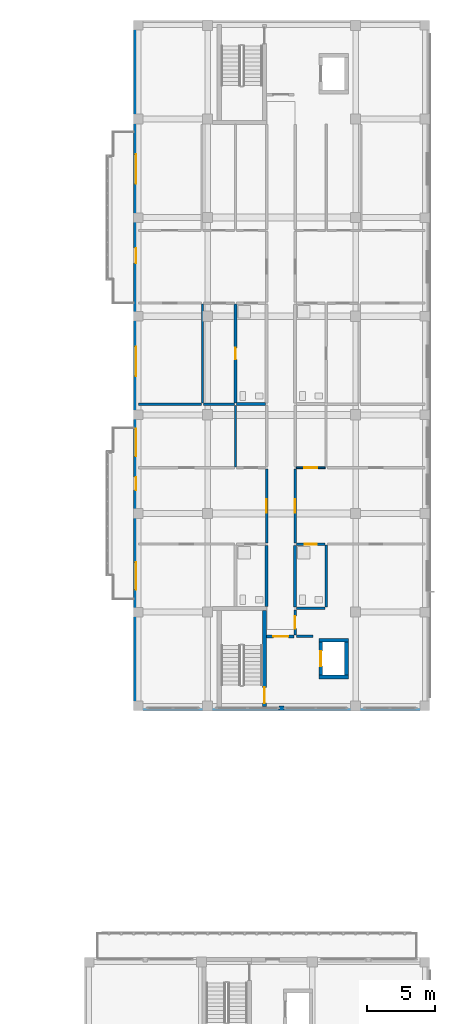
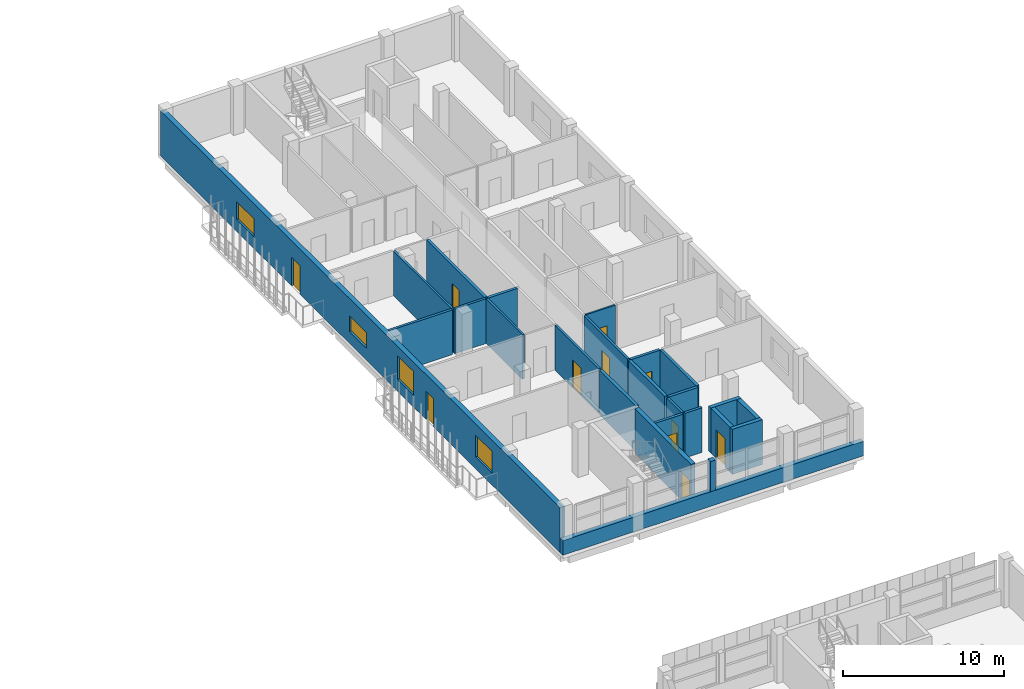
# One storey, part 50 of 73: 25 walls, 11 doors, 4 windows, 15 openings.
"""IFC4 building model written with IfcOpenShell, lengths in metres."""

import ifcopenshell
import ifcopenshell.guid

model = None  # the IFC model being written
_history = None  # IfcOwnerHistory: only IFC2X3 demands one
_inside = {}  # id of a spatial element -> (the spatial element, [elements in it])
_under = {}  # id of a project, library or spatial element -> (it, [spatial elements below it])
_declared = {}  # id of a project -> (the project, [libraries it declares])
_typed = {}  # id of a type object -> (the type object, [elements of that type])
_made_of = {}  # id of a material, layer set ... -> (it, [elements and type objects made of it])


def new_model(schema):
    """Start an empty IFC model of exactly this schema.

    Asked for "IFC4X3", IfcOpenShell would pick the latest addendum, in which some entities
    have other attributes; the version numbers below select the first issue.
    IFC2X3 requires an IfcOwnerHistory on every rooted entity: one is made here for all.
    """
    global model, _history
    if schema == "IFC4X3":
        model = ifcopenshell.file(schema_version=(4, 3, 0, 0))
    else:
        model = ifcopenshell.file(schema=schema)
    _inside.clear()
    _under.clear()
    _declared.clear()
    _typed.clear()
    _made_of.clear()
    _history = None
    if model.schema == "IFC2X3":
        org = make("IfcOrganization", Name="unknown")
        user = make(
            "IfcPersonAndOrganization",
            ThePerson=make("IfcPerson", FamilyName="unknown"),
            TheOrganization=org,
        )
        app = make(
            "IfcApplication",
            ApplicationDeveloper=org,
            Version="unknown",
            ApplicationFullName="unknown",
            ApplicationIdentifier="unknown",
        )
        _history = make(
            "IfcOwnerHistory",
            OwningUser=user,
            OwningApplication=app,
            ChangeAction="ADDED",
            CreationDate=0,
        )
    return model


def make(cls, **values):
    """One entity of the class cls with the attributes given. An attribute that is None is left unset."""
    return model.create_entity(
        cls, **{name: value for name, value in values.items() if value is not None}
    )


def rooted(cls, **values):
    """An entity with a GlobalId (a new one), such as an element, a storey or a relation."""
    return make(cls, GlobalId=ifcopenshell.guid.new(), OwnerHistory=_history, **values)


def si_unit(unit_type, name, prefix=None):
    """IfcSIUnit, for example si_unit("LENGTHUNIT", "METRE", prefix="MILLI")."""
    return make("IfcSIUnit", UnitType=unit_type, Prefix=prefix, Name=name)


def derived_unit(unit_type, elements):
    """IfcDerivedUnit: a product of units, each with its exponent."""
    return make(
        "IfcDerivedUnit",
        Elements=[
            make("IfcDerivedUnitElement", Unit=unit, Exponent=power)
            for unit, power in elements
        ],
        UnitType=unit_type,
    )


def assignment(units):
    """IfcUnitAssignment: the units of a project."""
    return None if units is None else make("IfcUnitAssignment", Units=units)


def point(xyz):
    """IfcCartesianPoint."""
    return None if xyz is None else make("IfcCartesianPoint", Coordinates=xyz)


def direction(xyz):
    """IfcDirection."""
    return None if xyz is None else make("IfcDirection", DirectionRatios=xyz)


def frame(location, z_axis=None, x_axis=None):
    """IfcAxis2Placement3D, a coordinate frame: its origin and axes. An axis left out is left unset."""
    return make(
        "IfcAxis2Placement3D",
        Location=point(location),
        Axis=direction(z_axis),
        RefDirection=direction(x_axis),
    )


def frame_2d(location, x_axis=None):
    """IfcAxis2Placement2D, a coordinate frame in the plane: its origin and x axis."""
    return make(
        "IfcAxis2Placement2D", Location=point(location), RefDirection=direction(x_axis)
    )


def origin():
    """The frame at (0, 0, 0) with its axes left unset."""
    return frame((0.0, 0.0, 0.0))


def place(relative_to, where):
    """IfcLocalPlacement: puts the frame where relative to a parent placement (None: the world)."""
    return make(
        "IfcLocalPlacement", PlacementRelTo=relative_to, RelativePlacement=where
    )


def context(
    kind, dimensions, precision=None, world=None, true_north=None, identifier=None
):
    """IfcGeometricRepresentationContext, for example the 3D "Model" context."""
    return make(
        "IfcGeometricRepresentationContext",
        ContextIdentifier=identifier,
        ContextType=kind,
        CoordinateSpaceDimension=dimensions,
        Precision=precision,
        WorldCoordinateSystem=world,
        TrueNorth=true_north,
    )


def subcontext(parent, identifier, kind, view, scale=None):
    """IfcGeometricRepresentationSubContext, for example "Body" below "Model"."""
    return make(
        "IfcGeometricRepresentationSubContext",
        ContextIdentifier=identifier,
        ContextType=kind,
        ParentContext=parent,
        TargetScale=scale,
        TargetView=view,
    )


def project(units=None, contexts=None):
    """IfcProject with its units and contexts."""
    return rooted(
        "IfcProject",
        Name="project",
        RepresentationContexts=contexts,
        UnitsInContext=assignment(units),
    )


def spatial(cls, under=None, at=None, **own):
    """A site, building, storey or space (cls), placed at a placement, below another one or the project."""
    s = rooted(cls, ObjectPlacement=at, **own)
    if under is not None:
        _under.setdefault(under.id(), (under, []))[1].append(s)
    return s


def profile(cls, at=None, kind="AREA", **sizes):
    """A parametric profile (cls). Its sizes go by their IFC names, for example OverallWidth=200.0."""
    return make(cls, ProfileType=kind, Position=at, **sizes)


def rectangle(**sizes):
    """IfcRectangleProfileDef."""
    return profile("IfcRectangleProfileDef", **sizes)


def extrude(swept, where, along, depth):
    """IfcExtrudedAreaSolid: the profile swept, set in the frame where, extruded along a direction by depth."""
    return make(
        "IfcExtrudedAreaSolid",
        SweptArea=swept,
        Position=where,
        ExtrudedDirection=direction(along),
        Depth=depth,
    )


def shape(context_of_items, identifier, shape_type, items):
    """IfcShapeRepresentation: the items that make up one representation, for example the "Body"."""
    return make(
        "IfcShapeRepresentation",
        ContextOfItems=context_of_items,
        RepresentationIdentifier=identifier,
        RepresentationType=shape_type,
        Items=items,
    )


def material(Name=None, Category=None):
    """IfcMaterial."""
    return make("IfcMaterial", Name=Name, Category=Category)


def layer(
    of_material, thickness, ventilated=None, Name=None, Category=None, Priority=None
):
    """IfcMaterialLayer: one layer of a wall or slab, of a material (None: an air gap)."""
    return make(
        "IfcMaterialLayer",
        Material=of_material,
        LayerThickness=thickness,
        IsVentilated=ventilated,
        Name=Name,
        Category=Category,
        Priority=Priority,
    )


def layer_set(layers, Name=None):
    """IfcMaterialLayerSet."""
    return make("IfcMaterialLayerSet", MaterialLayers=layers, LayerSetName=Name)


def made_of(thing, what):
    """Note that an element or type object is made of a material, layer set ...; save() writes the relation."""
    if what is not None:
        _made_of.setdefault(what.id(), (what, []))[1].append(thing)
    return thing


def type_object(cls, material=None, **own):
    """A type object (cls), such as IfcWallType, which elements share."""
    return made_of(rooted(cls, **own), material)


def element(
    cls,
    number,
    at=None,
    inside=None,
    cuts=None,
    type_object=None,
    material=None,
    context=None,
    identifier="Body",
    shape_type=None,
    held_by="IfcProductDefinitionShape",
    body=None,
    shapes=None,
    **own,
):
    """One element of the class cls, such as IfcWall. Its Tag is "e" and its number.

    at: its placement. inside: the storey or other place that contains it. cuts: it is an
    opening in that element (IfcRelVoidsElement). A single representation is given by context,
    identifier, shape_type and body (its items); several are given by shapes. held_by: the class
    of the entity that holds the representations. save() writes the other relations.
    """
    e = rooted(cls, Tag="e%d" % number, ObjectPlacement=at, **own)
    if body is not None:
        shapes = [shape(context, identifier, shape_type, body)]
    if shapes is not None:
        e.Representation = make(held_by, Representations=shapes)
    if inside is not None:
        _inside.setdefault(inside.id(), (inside, []))[1].append(e)
    if cuts is not None:
        rooted(
            "IfcRelVoidsElement", RelatingBuildingElement=cuts, RelatedOpeningElement=e
        )
    if type_object is not None:
        _typed.setdefault(type_object.id(), (type_object, []))[1].append(e)
    return made_of(e, material)


def fill(opening, filler):
    """IfcRelFillsElement: the door or window that sits in an opening."""
    return rooted(
        "IfcRelFillsElement",
        RelatingOpeningElement=opening,
        RelatedBuildingElement=filler,
    )


def aggregate(whole, parts):
    """IfcRelAggregates: a whole, such as a stair, and the parts it consists of."""
    return rooted("IfcRelAggregates", RelatingObject=whole, RelatedObjects=parts)


def save(model, path):
    """Write the relations noted so far, then the file.

    IfcRelAggregates (storeys below a building ...), IfcRelContainedInSpatialStructure (elements
    in a storey), IfcRelDefinesByType, IfcRelAssociatesMaterial and IfcRelDeclares: one each for
    every whole, place, type object, material and project.
    """
    for whole, parts in _under.values():
        aggregate(whole, parts)
    for where, things in _inside.values():
        rooted(
            "IfcRelContainedInSpatialStructure",
            RelatedElements=things,
            RelatingStructure=where,
        )
    for kind, things in _typed.values():
        rooted("IfcRelDefinesByType", RelatedObjects=things, RelatingType=kind)
    for what, things in _made_of.values():
        rooted("IfcRelAssociatesMaterial", RelatedObjects=things, RelatingMaterial=what)
    for by, libraries in _declared.values():
        rooted("IfcRelDeclares", RelatingContext=by, RelatedDefinitions=libraries)
    model.write(path)


model = new_model("IFC4")

# Units and contexts
model_context = context("Model", 3, precision=1e-05, world=origin(), true_north=direction((0.0, 1.0)))
body_context = subcontext(model_context, "Body", "Model", "MODEL_VIEW")
ifc_project = project(units=[si_unit("LENGTHUNIT", "METRE"), si_unit("AREAUNIT", "SQUARE_METRE"), si_unit("VOLUMEUNIT", "CUBIC_METRE"), si_unit("PLANEANGLEUNIT", "RADIAN"), si_unit("MASSUNIT", "GRAM", prefix="KILO"), derived_unit("THERMALTRANSMITTANCEUNIT", [(si_unit("MASSUNIT", "GRAM", prefix="KILO"), 1), (si_unit("TIMEUNIT", "SECOND"), -3), (si_unit("THERMODYNAMICTEMPERATUREUNIT", "KELVIN"), -1)])], contexts=[model_context])

# Site, building, storey
site_placement = place(None, origin())
site = spatial("IfcSite", under=ifc_project, at=site_placement, CompositionType="ELEMENT")
building_placement = place(site_placement, origin())
building = spatial("IfcBuilding", under=site, at=building_placement, Name="Ochrekiln Boulevard Commons", CompositionType="ELEMENT")
storey_placement = place(building_placement, frame((0.0, 0.0, 4.89990234375)))
storey = spatial("IfcBuildingStorey", under=building, at=storey_placement, Name="L01", CompositionType="ELEMENT", Elevation=4.89990234375)

# Wall, openings, doors, windows
ifc_material_1 = material(Name="Iron-spot brown clinker brick masonry ASTM C216 Grade SW", Category="masonry")
ifc_layer_1 = layer(ifc_material_1, 0.340087890625)
ifc_layer_set_1 = layer_set([ifc_layer_1], Name="Iron-spot brown clinker brick masonry ASTM C216 Grade SW")
wall_type_1 = type_object("IfcWallType", Name="WL-EXT-IRON-340", PredefinedType="SOLIDWALL", material=ifc_layer_set_1)
wall_1_placement = place(storey_placement, frame((151.3701171875, 68.739990234375, 0.0), z_axis=(0.0, 0.0, 1.0), x_axis=(0.0, 1.0, 0.0)))
wall_1 = element("IfcWall", 1, at=wall_1_placement, inside=storey, type_object=wall_type_1, Name="Block B L01 W Exterior Wall", PredefinedType="SOLIDWALL", context=body_context, shape_type="SweptSolid", body=[
    extrude(rectangle(XDim=49.719970703125, YDim=0.340087890625, at=frame_2d((24.85986328125, 0.0))), origin(), (0.0, 0.0, 1.0), 3.4150390625),
])
opening_1_placement = place(wall_1_placement, frame((15.764892578125, 0.0, 0.0)))
opening_1 = element("IfcOpeningElement", 2, at=opening_1_placement, cuts=wall_1, Name="Opening D-L01-BL021", PredefinedType="OPENING", context=body_context, shape_type="SweptSolid", body=[
    extrude(rectangle(XDim=0.949951171875, YDim=2.14990234375, at=frame_2d((0.47509765625, 1.074951171875))), frame((0.0, 0.179931640625, 0.0), z_axis=(0.0, -1.0, 0.0), x_axis=(1.0, 0.0, 0.0)), (0.0, 0.0, 1.0), 0.360107421875),
])
opening_2_placement = place(wall_1_placement, frame((8.498046875, 0.0, 0.89990234375)))
opening_2 = element("IfcOpeningElement", 3, at=opening_2_placement, cuts=wall_1, Name="Opening W-49", PredefinedType="OPENING", context=body_context, shape_type="SweptSolid", body=[
    extrude(rectangle(XDim=2.0, YDim=1.64990234375, at=frame_2d((1.0, 0.824951171875))), frame((0.0, 0.179931640625, 0.0), z_axis=(0.0, -1.0, 0.0), x_axis=(1.0, 0.0, 0.0)), (0.0, 0.0, 1.0), 0.360107421875),
])
opening_3_placement = place(wall_1_placement, frame((18.235107421875, 0.0, 0.89990234375)))
opening_3 = element("IfcOpeningElement", 4, at=opening_3_placement, cuts=wall_1, Name="Opening W-50", PredefinedType="OPENING", context=body_context, shape_type="SweptSolid", body=[
    extrude(rectangle(XDim=2.0, YDim=1.800048828125, at=frame_2d((1.0, 0.89990234375))), frame((0.0, 0.179931640625, 0.0), z_axis=(0.0, -1.0, 0.0), x_axis=(1.0, 0.0, 0.0)), (0.0, 0.0, 1.0), 0.360107421875),
])
opening_4_placement = place(wall_1_placement, frame((32.344970703125, 0.0, 0.0)))
opening_4 = element("IfcOpeningElement", 5, at=opening_4_placement, cuts=wall_1, Name="Opening D-L01-BL022", PredefinedType="OPENING", context=body_context, shape_type="SweptSolid", body=[
    extrude(rectangle(XDim=1.080078125, YDim=2.179931640625, at=frame_2d((0.5400390625, 1.08984375))), frame((0.0, 0.179931640625, 0.0), z_axis=(0.0, -1.0, 0.0), x_axis=(1.0, 0.0, 0.0)), (0.0, 0.0, 1.0), 0.360107421875),
])
opening_5_placement = place(wall_1_placement, frame((24.0869140625, 0.0, 0.89990234375)))
opening_5 = element("IfcOpeningElement", 6, at=opening_5_placement, cuts=wall_1, Name="Opening W-51", PredefinedType="OPENING", context=body_context, shape_type="SweptSolid", body=[
    extrude(rectangle(XDim=2.14990234375, YDim=1.199951171875, at=frame_2d((1.074951171875, 0.60009765625))), frame((0.0, 0.179931640625, 0.0), z_axis=(0.0, -1.0, 0.0), x_axis=(1.0, 0.0, 0.0)), (0.0, 0.0, 1.0), 0.360107421875),
])
opening_6_placement = place(wall_1_placement, frame((38.1201171875, 0.0, 0.89990234375)))
opening_6 = element("IfcOpeningElement", 7, at=opening_6_placement, cuts=wall_1, Name="Opening W-52", PredefinedType="OPENING", context=body_context, shape_type="SweptSolid", body=[
    extrude(rectangle(XDim=2.14990234375, YDim=1.35009765625, at=frame_2d((1.074951171875, 0.675048828125))), frame((0.0, 0.179931640625, 0.0), z_axis=(0.0, -1.0, 0.0), x_axis=(1.0, 0.0, 0.0)), (0.0, 0.0, 1.0), 0.360107421875),
])
ifc_material_2 = material(Name="Thermally broken aluminium-clad oak frame", Category="aluminium")
door_type_1 = type_object("IfcDoorType", Name="DR-EXT-BAL-095", OperationType="NOTDEFINED", PredefinedType="DOOR", material=ifc_material_2)
door_1_placement = place(opening_1_placement, origin())
door_1 = element("IfcDoor", 8, at=door_1_placement, inside=storey, type_object=door_type_1, Name="Block B L01 Glazed Balcony Patio Door", OperationType="SINGLE_SWING_RIGHT", OverallHeight=2.14990234375, OverallWidth=0.949951171875, PredefinedType="DOOR", context=body_context, shape_type="SweptSolid", body=[
    extrude(rectangle(XDim=0.949951171875, YDim=2.14990234375, at=frame_2d((0.47509765625, 1.074951171875))), frame((0.0, 0.02490234375, 0.0), z_axis=(0.0, -1.0, 0.0), x_axis=(1.0, 0.0, 0.0)), (0.0, 0.0, 1.0), 0.050048828125),
])
fill(opening_1, door_1)
door_type_2 = type_object("IfcDoorType", Name="DR-EXT-BAL-108", OperationType="NOTDEFINED", PredefinedType="DOOR", material=ifc_material_2)
door_2_placement = place(opening_4_placement, origin())
door_2 = element("IfcDoor", 9, at=door_2_placement, inside=storey, type_object=door_type_2, Name="Block B L01 Glazed Balcony Patio Door", OperationType="SINGLE_SWING_LEFT", OverallHeight=2.179931640625, OverallWidth=1.080078125, PredefinedType="DOOR", context=body_context, shape_type="SweptSolid", body=[
    extrude(rectangle(XDim=1.080078125, YDim=2.179931640625, at=frame_2d((0.5400390625, 1.08984375))), frame((0.0, 0.02490234375, 0.0), z_axis=(0.0, -1.0, 0.0), x_axis=(1.0, 0.0, 0.0)), (0.0, 0.0, 1.0), 0.050048828125),
])
fill(opening_4, door_2)
window_type_1 = type_object("IfcWindowType", Name="WIN-EXT-49", PartitioningType="DOUBLE_PANEL_VERTICAL", PredefinedType="WINDOW", material=ifc_material_2)
window_1_placement = place(opening_2_placement, origin())
window_1 = element("IfcWindow", 10, at=window_1_placement, inside=storey, type_object=window_type_1, Name="Block B L01 Punched Masonry Window W-49", OverallHeight=1.64990234375, OverallWidth=2.0, PartitioningType="DOUBLE_PANEL_VERTICAL", PredefinedType="WINDOW", context=body_context, shape_type="SweptSolid", body=[
    extrude(rectangle(XDim=2.0, YDim=1.64990234375, at=frame_2d((1.0, 0.824951171875))), frame((0.0, 0.030029296875, 0.0), z_axis=(0.0, -1.0, 0.0), x_axis=(1.0, 0.0, 0.0)), (0.0, 0.0, 1.0), 0.06005859375),
])
fill(opening_2, window_1)
window_type_2 = type_object("IfcWindowType", Name="WIN-EXT-50", PartitioningType="DOUBLE_PANEL_VERTICAL", PredefinedType="WINDOW", material=ifc_material_2)
window_2_placement = place(opening_3_placement, origin())
window_2 = element("IfcWindow", 11, at=window_2_placement, inside=storey, type_object=window_type_2, Name="Block B L01 Punched Masonry Window W-50", OverallHeight=1.800048828125, OverallWidth=2.0, PartitioningType="DOUBLE_PANEL_VERTICAL", PredefinedType="WINDOW", context=body_context, shape_type="SweptSolid", body=[
    extrude(rectangle(XDim=2.0, YDim=1.800048828125, at=frame_2d((1.0, 0.89990234375))), frame((0.0, 0.030029296875, 0.0), z_axis=(0.0, -1.0, 0.0), x_axis=(1.0, 0.0, 0.0)), (0.0, 0.0, 1.0), 0.06005859375),
])
fill(opening_3, window_2)
window_type_3 = type_object("IfcWindowType", Name="WIN-EXT-51", PartitioningType="DOUBLE_PANEL_VERTICAL", PredefinedType="WINDOW", material=ifc_material_2)
window_3_placement = place(opening_5_placement, origin())
window_3 = element("IfcWindow", 12, at=window_3_placement, inside=storey, type_object=window_type_3, Name="Block B L01 Punched Masonry Window W-51", OverallHeight=1.199951171875, OverallWidth=2.14990234375, PartitioningType="DOUBLE_PANEL_VERTICAL", PredefinedType="WINDOW", context=body_context, shape_type="SweptSolid", body=[
    extrude(rectangle(XDim=2.14990234375, YDim=1.199951171875, at=frame_2d((1.074951171875, 0.60009765625))), frame((0.0, 0.030029296875, 0.0), z_axis=(0.0, -1.0, 0.0), x_axis=(1.0, 0.0, 0.0)), (0.0, 0.0, 1.0), 0.06005859375),
])
fill(opening_5, window_3)
window_type_4 = type_object("IfcWindowType", Name="WIN-EXT-52", PartitioningType="DOUBLE_PANEL_VERTICAL", PredefinedType="WINDOW", material=ifc_material_2)
window_4_placement = place(opening_6_placement, origin())
window_4 = element("IfcWindow", 13, at=window_4_placement, inside=storey, type_object=window_type_4, Name="Block B L01 Punched Masonry Window W-52", OverallHeight=1.35009765625, OverallWidth=2.14990234375, PartitioningType="DOUBLE_PANEL_VERTICAL", PredefinedType="WINDOW", context=body_context, shape_type="SweptSolid", body=[
    extrude(rectangle(XDim=2.14990234375, YDim=1.35009765625, at=frame_2d((1.074951171875, 0.675048828125))), frame((0.0, 0.030029296875, 0.0), z_axis=(0.0, -1.0, 0.0), x_axis=(1.0, 0.0, 0.0)), (0.0, 0.0, 1.0), 0.06005859375),
])
fill(opening_6, window_4)

# Walls
wall_2_placement = place(storey_placement, frame((151.199951171875, 68.570068359375, 0.0), z_axis=(0.0, 0.0, 1.0), x_axis=(1.0, 0.0, 0.0)))
element("IfcWall", 14, at=wall_2_placement, inside=storey, type_object=wall_type_1, Name="Block B L01 Courtyard Gable Sill Wall", PredefinedType="SOLIDWALL", context=body_context, shape_type="SweptSolid", body=[
    extrude(rectangle(XDim=21.60009765625, YDim=0.340087890625, at=frame_2d((10.800048828125, 0.0))), origin(), (0.0, 0.0, 1.0), 1.110107421875),
])
wall_3_placement = place(storey_placement, frame((161.820068359375, 68.570068359375, 1.110107421875), z_axis=(0.0, 0.0, 1.0), x_axis=(1.0, 0.0, 0.0)))
element("IfcWall", 15, at=wall_3_placement, inside=storey, type_object=wall_type_1, Name="Block B L01 Courtyard Gable Mullion Pier", PredefinedType="SOLIDWALL", context=body_context, shape_type="SweptSolid", body=[
    extrude(rectangle(XDim=0.35986328125, YDim=0.340087890625, at=frame_2d((0.179931640625, 0.0))), origin(), (0.0, 0.0, 1.0), 2.304931640625),
])
ifc_material_3 = material(Name="Moisture-resistant cementitious tile backer wall")
ifc_layer_2 = layer(ifc_material_3, 0.199951171875)
ifc_layer_set_2 = layer_set([ifc_layer_2], Name="Moisture-resistant cementitious tile backer wall")
wall_type_2 = type_object("IfcWallType", Name="WL-PLM-200", PredefinedType="PLUMBINGWALL", material=ifc_layer_set_2)
wall_4_placement = place(storey_placement, frame((163.072998046875, 75.875, 0.0), z_axis=(0.0, 0.0, 1.0), x_axis=(1.0, 0.0, 0.0)))
element("IfcWall", 16, at=wall_4_placement, inside=storey, type_object=wall_type_2, Name="L01 Interior Wall W-PW200", PredefinedType="PLUMBINGWALL", context=body_context, shape_type="SweptSolid", body=[
    extrude(rectangle(XDim=2.10693359375, YDim=0.199951171875, at=frame_2d((1.053466796875, 0.0))), origin(), (0.0, 0.0, 1.0), 3.39501953125),
])
wall_5_placement = place(storey_placement, frame((158.715087890625, 90.783935546875, 0.0), z_axis=(0.0, 0.0, 1.0), x_axis=(1.0, 0.0, 0.0)))
element("IfcWall", 17, at=wall_5_placement, inside=storey, type_object=wall_type_2, Name="L01 Interior Wall W-PW200", PredefinedType="PLUMBINGWALL", context=body_context, shape_type="SweptSolid", body=[
    extrude(rectangle(XDim=2.11181640625, YDim=0.199951171875, at=frame_2d((1.055908203125, 0.0))), origin(), (0.0, 0.0, 1.0), 3.39501953125),
])

# Wall, opening, door
wall_6_placement = place(storey_placement, frame((158.639892578125, 90.8740234375, 0.0), z_axis=(0.0, 0.0, 1.0), x_axis=(0.0, 1.0, 0.0)))
wall_6 = element("IfcWall", 18, at=wall_6_placement, inside=storey, type_object=wall_type_2, Name="L01 Interior Wall W-PW200", PredefinedType="PLUMBINGWALL", context=body_context, shape_type="SweptSolid", body=[
    extrude(rectangle(XDim=7.216064453125, YDim=0.199951171875, at=frame_2d((3.60791015625, 0.0))), origin(), (0.0, 0.0, 1.0), 3.39501953125),
])
opening_7_placement = place(wall_6_placement, frame((3.173095703125, 0.0, 0.0)))
opening_7 = element("IfcOpeningElement", 19, at=opening_7_placement, cuts=wall_6, Name="Opening D-L01-194", PredefinedType="OPENING", context=body_context, shape_type="SweptSolid", body=[
    extrude(rectangle(XDim=0.85009765625, YDim=2.010009765625, at=frame_2d((0.425048828125, 1.0048828125))), frame((0.0, 0.10986328125, 0.0), z_axis=(0.0, -1.0, 0.0), x_axis=(1.0, 0.0, 0.0)), (0.0, 0.0, 1.0), 0.219970703125),
])
ifc_material_4 = material(Name="Solid core architectural oak door leaf")
door_type_3 = type_object("IfcDoorType", Name="DR-INT-KIT-085", OperationType="NOTDEFINED", PredefinedType="DOOR", material=ifc_material_4)
door_3_placement = place(opening_7_placement, frame((0.85009765625, 0.0, 0.0), z_axis=(0.0, 0.0, 1.0), x_axis=(-1.0, 0.0, 0.0)))
door_3 = element("IfcDoor", 20, at=door_3_placement, inside=storey, type_object=door_type_3, Name="L01 Interior Door to Apartment Bathroom", OperationType="SINGLE_SWING_RIGHT", OverallHeight=2.010009765625, OverallWidth=0.85009765625, PredefinedType="DOOR", context=body_context, shape_type="SweptSolid", body=[
    extrude(rectangle(XDim=0.85009765625, YDim=2.010009765625, at=frame_2d((0.425048828125, 1.0048828125))), frame((0.0, 0.02490234375, 0.0), z_axis=(0.0, -1.0, 0.0), x_axis=(1.0, 0.0, 0.0)), (0.0, 0.0, 1.0), 0.050048828125),
])
fill(opening_7, door_3)

wall_7_placement = place(storey_placement, frame((163.072998046875, 80.554931640625, 0.0), z_axis=(0.0, 0.0, 1.0), x_axis=(1.0, 0.0, 0.0)))
wall_7 = element("IfcWall", 21, at=wall_7_placement, inside=storey, type_object=wall_type_2, Name="L01 Interior Wall W-PW200", PredefinedType="PLUMBINGWALL", context=body_context, shape_type="SweptSolid", body=[
    extrude(rectangle(XDim=2.10693359375, YDim=0.199951171875, at=frame_2d((1.053466796875, 0.0))), origin(), (0.0, 0.0, 1.0), 3.39501953125),
])
opening_8_placement = place(wall_7_placement, frame((0.626953125, 0.0, 0.0)))
opening_8 = element("IfcOpeningElement", 22, at=opening_8_placement, cuts=wall_7, Name="Opening D-L01-195", PredefinedType="OPENING", context=body_context, shape_type="SweptSolid", body=[
    extrude(rectangle(XDim=0.860107421875, YDim=2.0, at=frame_2d((0.43017578125, 1.0))), frame((0.0, 0.10986328125, 0.0), z_axis=(0.0, -1.0, 0.0), x_axis=(1.0, 0.0, 0.0)), (0.0, 0.0, 1.0), 0.219970703125),
])
door_type_4 = type_object("IfcDoorType", Name="DR-INT-BTH-086", OperationType="NOTDEFINED", PredefinedType="DOOR", material=ifc_material_4)
door_4_placement = place(opening_8_placement, frame((0.860107421875, 0.0, 0.0), z_axis=(0.0, 0.0, 1.0), x_axis=(-1.0, 0.0, 0.0)))
door_4 = element("IfcDoor", 23, at=door_4_placement, inside=storey, type_object=door_type_4, Name="L01 Interior Door to Apartment Bathroom", OperationType="SINGLE_SWING_LEFT", OverallHeight=2.0, OverallWidth=0.860107421875, PredefinedType="DOOR", context=body_context, shape_type="SweptSolid", body=[
    extrude(rectangle(XDim=0.860107421875, YDim=2.0, at=frame_2d((0.43017578125, 1.0))), frame((0.0, 0.02490234375, 0.0), z_axis=(0.0, -1.0, 0.0), x_axis=(1.0, 0.0, 0.0)), (0.0, 0.0, 1.0), 0.050048828125),
])
fill(opening_8, door_4)

# Walls
wall_8_placement = place(storey_placement, frame((165.260009765625, 75.97509765625, 0.0), z_axis=(0.0, 0.0, 1.0), x_axis=(0.0, 1.0, 0.0)))
element("IfcWall", 24, at=wall_8_placement, inside=storey, type_object=wall_type_2, Name="L01 Interior Wall W-PW200", PredefinedType="PLUMBINGWALL", context=body_context, shape_type="SweptSolid", body=[
    extrude(rectangle(XDim=4.5048828125, YDim=0.199951171875, at=frame_2d((2.25244140625, 0.0))), origin(), (0.0, 0.0, 1.0), 3.39501953125),
])
ifc_layer_3 = layer(ifc_material_3, 0.219970703125)
ifc_layer_set_3 = layer_set([ifc_layer_3], Name="Moisture-resistant cementitious tile backer wall")
wall_type_3 = type_object("IfcWallType", Name="WL-PLM-220", PredefinedType="PLUMBINGWALL", material=ifc_layer_set_3)
wall_9_placement = place(storey_placement, frame((160.909912109375, 76.0, 0.0), z_axis=(0.0, 0.0, 1.0), x_axis=(0.0, 1.0, 0.0)))
element("IfcWall", 25, at=wall_9_placement, inside=storey, type_object=wall_type_3, Name="L01 Interior Wall W-PW220", PredefinedType="PLUMBINGWALL", context=body_context, shape_type="SweptSolid", body=[
    extrude(rectangle(XDim=4.47509765625, YDim=0.219970703125, at=frame_2d((2.237548828125, 0.0))), origin(), (0.0, 0.0, 1.0), 3.39501953125),
])
wall_10_placement = place(storey_placement, frame((162.989990234375, 75.97509765625, 0.0), z_axis=(0.0, 0.0, 1.0), x_axis=(0.0, 1.0, 0.0)))
element("IfcWall", 26, at=wall_10_placement, inside=storey, type_object=wall_type_3, Name="L01 Interior Wall W-PW220", PredefinedType="PLUMBINGWALL", context=body_context, shape_type="SweptSolid", body=[
    extrude(rectangle(XDim=4.5, YDim=0.219970703125, at=frame_2d((2.25, 0.0))), origin(), (0.0, 0.0, 1.0), 3.39501953125),
])

# Wall, opening, door
ifc_material_5 = material(Name="Fire-rated Type X gypsum board on steel studs", Category="steel")
ifc_layer_4 = layer(ifc_material_5, 0.1650390625)
ifc_layer_set_4 = layer_set([ifc_layer_4], Name="Fire-rated Type X gypsum board on steel studs")
wall_type_4 = type_object("IfcWallType", Name="WL-PT-CORR-165", PredefinedType="PARTITIONING", material=ifc_layer_set_4)
wall_11_placement = place(storey_placement, frame((162.989990234375, 73.929931640625, 0.0), z_axis=(0.0, 0.0, 1.0), x_axis=(0.0, 1.0, 0.0)))
wall_11 = element("IfcWall", 27, at=wall_11_placement, inside=storey, type_object=wall_type_4, Name="L01 Interior Wall W-PC165", PredefinedType="PARTITIONING", context=body_context, shape_type="SweptSolid", body=[
    extrude(rectangle(XDim=1.820068359375, YDim=0.1650390625, at=frame_2d((0.91015625, 0.0))), origin(), (0.0, 0.0, 1.0), 3.39501953125),
])
opening_9_placement = place(wall_11_placement, frame((0.4599609375, 0.0, 0.0)))
opening_9 = element("IfcOpeningElement", 28, at=opening_9_placement, cuts=wall_11, Name="Opening D-L01-179", PredefinedType="OPENING", context=body_context, shape_type="SweptSolid", body=[
    extrude(rectangle(XDim=0.919921875, YDim=2.0400390625, at=frame_2d((0.4599609375, 1.02001953125))), frame((0.0, 0.092529296875, 0.0), z_axis=(0.0, -1.0, 0.0), x_axis=(1.0, 0.0, 0.0)), (0.0, 0.0, 1.0), 0.18505859375),
])
ifc_material_6 = material(Name="Hollow metal fire-rated steel door assembly", Category="steel")
door_type_5 = type_object("IfcDoorType", Name="DR-SRV-90", OperationType="NOTDEFINED", PredefinedType="DOOR", material=ifc_material_6)
door_5_placement = place(opening_9_placement, frame((0.919921875, 0.0, 0.0), z_axis=(0.0, 0.0, 1.0), x_axis=(-1.0, 0.0, 0.0)))
door_5 = element("IfcDoor", 29, at=door_5_placement, inside=storey, type_object=door_type_5, Name="L01 Interior Door to Hydronic and Electrical Riser Room", OperationType="SINGLE_SWING_LEFT", OverallHeight=2.0400390625, OverallWidth=0.919921875, PredefinedType="DOOR", context=body_context, shape_type="SweptSolid", body=[
    extrude(rectangle(XDim=0.919921875, YDim=2.0400390625, at=frame_2d((0.4599609375, 1.02001953125))), frame((0.0, 0.02490234375, 0.0), z_axis=(0.0, -1.0, 0.0), x_axis=(1.0, 0.0, 0.0)), (0.0, 0.0, 1.0), 0.050048828125),
])
fill(opening_9, door_5)

wall_12_placement = place(storey_placement, frame((160.909912109375, 80.635009765625, 0.0), z_axis=(0.0, 0.0, 1.0), x_axis=(0.0, 1.0, 0.0)))
wall_12 = element("IfcWall", 30, at=wall_12_placement, inside=storey, type_object=wall_type_4, Name="L01 Interior Wall W-PC165", PredefinedType="PARTITIONING", context=body_context, shape_type="SweptSolid", body=[
    extrude(rectangle(XDim=5.424072265625, YDim=0.1650390625, at=frame_2d((2.7119140625, 0.0))), origin(), (0.0, 0.0, 1.0), 3.39501953125),
])
opening_10_placement = place(wall_12_placement, frame((2.20703125, 0.0, 0.0)))
opening_10 = element("IfcOpeningElement", 31, at=opening_10_placement, cuts=wall_12, Name="Opening D-L01-180", PredefinedType="OPENING", context=body_context, shape_type="SweptSolid", body=[
    extrude(rectangle(XDim=1.010009765625, YDim=2.110107421875, at=frame_2d((0.5048828125, 1.05517578125))), frame((0.0, 0.092529296875, 0.0), z_axis=(0.0, -1.0, 0.0), x_axis=(1.0, 0.0, 0.0)), (0.0, 0.0, 1.0), 0.18505859375),
])
door_type_6 = type_object("IfcDoorType", Name="DR-INT-APT-101", OperationType="NOTDEFINED", PredefinedType="DOOR", material=ifc_material_4)
door_6_placement = place(opening_10_placement, origin())
door_6 = element("IfcDoor", 32, at=door_6_placement, inside=storey, type_object=door_type_6, Name="L01 Interior Door to Two-Bedroom Apartment Living Room", OperationType="SINGLE_SWING_RIGHT", OverallHeight=2.110107421875, OverallWidth=1.010009765625, PredefinedType="DOOR", context=body_context, shape_type="SweptSolid", body=[
    extrude(rectangle(XDim=1.010009765625, YDim=2.110107421875, at=frame_2d((0.5048828125, 1.05517578125))), frame((0.0, 0.02490234375, 0.0), z_axis=(0.0, -1.0, 0.0), x_axis=(1.0, 0.0, 0.0)), (0.0, 0.0, 1.0), 0.050048828125),
])
fill(opening_10, door_6)

wall_13_placement = place(storey_placement, frame((162.989990234375, 80.635009765625, 0.0), z_axis=(0.0, 0.0, 1.0), x_axis=(0.0, 1.0, 0.0)))
wall_13 = element("IfcWall", 33, at=wall_13_placement, inside=storey, type_object=wall_type_4, Name="L01 Interior Wall W-PC165", PredefinedType="PARTITIONING", context=body_context, shape_type="SweptSolid", body=[
    extrude(rectangle(XDim=5.424072265625, YDim=0.1650390625, at=frame_2d((2.7119140625, 0.0))), origin(), (0.0, 0.0, 1.0), 3.39501953125),
])
opening_11_placement = place(wall_13_placement, frame((2.20703125, 0.0, 0.0)))
opening_11 = element("IfcOpeningElement", 34, at=opening_11_placement, cuts=wall_13, Name="Opening D-L01-182", PredefinedType="OPENING", context=body_context, shape_type="SweptSolid", body=[
    extrude(rectangle(XDim=1.010009765625, YDim=2.110107421875, at=frame_2d((0.5048828125, 1.05517578125))), frame((0.0, 0.092529296875, 0.0), z_axis=(0.0, -1.0, 0.0), x_axis=(1.0, 0.0, 0.0)), (0.0, 0.0, 1.0), 0.18505859375),
])
door_7_placement = place(opening_11_placement, frame((1.010009765625, 0.0, 0.0), z_axis=(0.0, 0.0, 1.0), x_axis=(-1.0, 0.0, 0.0)))
door_7 = element("IfcDoor", 35, at=door_7_placement, inside=storey, type_object=door_type_6, Name="L01 Interior Door to Two-Bedroom Apartment Living Room", OperationType="SINGLE_SWING_RIGHT", OverallHeight=2.110107421875, OverallWidth=1.010009765625, PredefinedType="DOOR", context=body_context, shape_type="SweptSolid", body=[
    extrude(rectangle(XDim=1.010009765625, YDim=2.110107421875, at=frame_2d((0.5048828125, 1.05517578125))), frame((0.0, 0.02490234375, 0.0), z_axis=(0.0, -1.0, 0.0), x_axis=(1.0, 0.0, 0.0)), (0.0, 0.0, 1.0), 0.050048828125),
])
fill(opening_11, door_7)

# Walls
ifc_layer_5 = layer(ifc_material_5, 0.179931640625)
ifc_layer_set_5 = layer_set([ifc_layer_5], Name="Fire-rated Type X gypsum board on steel studs")
wall_type_5 = type_object("IfcWallType", Name="WL-PT-DEM-180", PredefinedType="PARTITIONING", material=ifc_layer_set_5)
wall_14_placement = place(storey_placement, frame((151.5400390625, 90.783935546875, 0.0), z_axis=(0.0, 0.0, 1.0), x_axis=(1.0, 0.0, 0.0)))
element("IfcWall", 36, at=wall_14_placement, inside=storey, type_object=wall_type_5, Name="L01 Interior Wall W-PD180", PredefinedType="PARTITIONING", context=body_context, shape_type="SweptSolid", body=[
    extrude(rectangle(XDim=4.60986328125, YDim=0.179931640625, at=frame_2d((2.304931640625, 0.0))), origin(), (0.0, 0.0, 1.0), 3.39501953125),
])
wall_15_placement = place(storey_placement, frame((156.31005859375, 90.783935546875, 0.0), z_axis=(0.0, 0.0, 1.0), x_axis=(1.0, 0.0, 0.0)))
element("IfcWall", 37, at=wall_15_placement, inside=storey, type_object=wall_type_5, Name="L01 Interior Wall W-PD180", PredefinedType="PARTITIONING", context=body_context, shape_type="SweptSolid", body=[
    extrude(rectangle(XDim=2.25, YDim=0.179931640625, at=frame_2d((1.125, 0.0))), origin(), (0.0, 0.0, 1.0), 3.39501953125),
])
ifc_layer_6 = layer(ifc_material_5, 0.18994140625)
ifc_layer_set_6 = layer_set([ifc_layer_6], Name="Fire-rated Type X gypsum board on steel studs")
wall_type_6 = type_object("IfcWallType", Name="WL-PT-LBY-190", PredefinedType="PARTITIONING", material=ifc_layer_set_6)
wall_16_placement = place(storey_placement, frame((163.080078125, 73.8349609375, 0.0), z_axis=(0.0, 0.0, 1.0), x_axis=(1.0, 0.0, 0.0)))
element("IfcWall", 38, at=wall_16_placement, inside=storey, type_object=wall_type_6, Name="L01 Interior Wall W-PL190", PredefinedType="PARTITIONING", context=body_context, shape_type="SweptSolid", body=[
    extrude(rectangle(XDim=1.219970703125, YDim=0.18994140625, at=frame_2d((0.60986328125, 0.0))), origin(), (0.0, 0.0, 1.0), 3.39501953125),
])

# Wall, opening, door
wall_17_placement = place(storey_placement, frame((160.89990234375, 73.820068359375, 0.0), z_axis=(0.0, 0.0, 1.0), x_axis=(1.0, 0.0, 0.0)))
wall_17 = element("IfcWall", 39, at=wall_17_placement, inside=storey, type_object=wall_type_6, Name="L01 Interior Wall W-PL190", PredefinedType="PARTITIONING", context=body_context, shape_type="SweptSolid", body=[
    extrude(rectangle(XDim=2.0, YDim=0.18994140625, at=frame_2d((1.0, 0.0))), origin(), (0.0, 0.0, 1.0), 3.39501953125),
])
opening_12_placement = place(wall_17_placement, frame((0.5, 0.0, 0.0)))
opening_12 = element("IfcOpeningElement", 40, at=opening_12_placement, cuts=wall_17, Name="Opening D-L01-177", PredefinedType="OPENING", context=body_context, shape_type="SweptSolid", body=[
    extrude(rectangle(XDim=1.10009765625, YDim=2.1201171875, at=frame_2d((0.550048828125, 1.06005859375))), frame((0.0, 0.10498046875, 0.0), z_axis=(0.0, -1.0, 0.0), x_axis=(1.0, 0.0, 0.0)), (0.0, 0.0, 1.0), 0.2099609375),
])
door_type_7 = type_object("IfcDoorType", Name="DR-LOBBY-60", OperationType="NOTDEFINED", PredefinedType="DOOR", material=ifc_material_6)
door_8_placement = place(opening_12_placement, frame((1.10009765625, 0.0, 0.0), z_axis=(0.0, 0.0, 1.0), x_axis=(-1.0, 0.0, 0.0)))
door_8 = element("IfcDoor", 41, at=door_8_placement, inside=storey, type_object=door_type_7, Name="L01 Interior Door to Fire Service Access Elevator Lobby", OperationType="SINGLE_SWING_LEFT", OverallHeight=2.1201171875, OverallWidth=1.10009765625, PredefinedType="DOOR", context=body_context, shape_type="SweptSolid", body=[
    extrude(rectangle(XDim=1.10009765625, YDim=2.1201171875, at=frame_2d((0.550048828125, 1.06005859375))), frame((0.0, 0.02490234375, 0.0), z_axis=(0.0, -1.0, 0.0), x_axis=(1.0, 0.0, 0.0)), (0.0, 0.0, 1.0), 0.050048828125),
])
fill(opening_12, door_8)

ifc_layer_7 = layer(ifc_material_5, 0.1201171875)
ifc_layer_set_7 = layer_set([ifc_layer_7], Name="Fire-rated Type X gypsum board on steel studs")
wall_type_7 = type_object("IfcWallType", Name="WL-PT-LGT-120", PredefinedType="PARTITIONING", material=ifc_layer_set_7)
wall_18_placement = place(storey_placement, frame((163.072998046875, 86.138916015625, 0.0), z_axis=(0.0, 0.0, 1.0), x_axis=(1.0, 0.0, 0.0)))
wall_18 = element("IfcWall", 42, at=wall_18_placement, inside=storey, type_object=wall_type_7, Name="L01 Interior Wall W-PL120", PredefinedType="PARTITIONING", context=body_context, shape_type="SweptSolid", body=[
    extrude(rectangle(XDim=2.10693359375, YDim=0.1201171875, at=frame_2d((1.053466796875, 0.0))), origin(), (0.0, 0.0, 1.0), 3.39501953125),
])
opening_13_placement = place(wall_18_placement, frame((0.596923828125, 0.0, 0.0)))
opening_13 = element("IfcOpeningElement", 43, at=opening_13_placement, cuts=wall_18, Name="Opening D-L01-196", PredefinedType="OPENING", context=body_context, shape_type="SweptSolid", body=[
    extrude(rectangle(XDim=0.919921875, YDim=2.02001953125, at=frame_2d((0.4599609375, 1.010009765625))), frame((0.0, 0.070068359375, 0.0), z_axis=(0.0, -1.0, 0.0), x_axis=(1.0, 0.0, 0.0)), (0.0, 0.0, 1.0), 0.14013671875),
])
door_type_8 = type_object("IfcDoorType", Name="DR-INT-KIT-092", OperationType="NOTDEFINED", PredefinedType="DOOR", material=ifc_material_4)
door_9_placement = place(opening_13_placement, origin())
door_9 = element("IfcDoor", 44, at=door_9_placement, inside=storey, type_object=door_type_8, Name="L01 Interior Door to Apartment Kitchen", OperationType="SINGLE_SWING_RIGHT", OverallHeight=2.02001953125, OverallWidth=0.919921875, PredefinedType="DOOR", context=body_context, shape_type="SweptSolid", body=[
    extrude(rectangle(XDim=0.919921875, YDim=2.02001953125, at=frame_2d((0.4599609375, 1.010009765625))), frame((0.0, 0.02490234375, 0.0), z_axis=(0.0, -1.0, 0.0), x_axis=(1.0, 0.0, 0.0)), (0.0, 0.0, 1.0), 0.050048828125),
])
fill(opening_13, door_9)

# Walls
ifc_layer_8 = layer(ifc_material_5, 0.14990234375)
ifc_layer_set_8 = layer_set([ifc_layer_8], Name="Fire-rated Type X gypsum board on steel studs")
wall_type_8 = type_object("IfcWallType", Name="WL-PT-STD-150", PredefinedType="PARTITIONING", material=ifc_layer_set_8)
wall_19_placement = place(storey_placement, frame((158.639892578125, 86.198974609375, 0.0), z_axis=(0.0, 0.0, 1.0), x_axis=(0.0, 1.0, 0.0)))
element("IfcWall", 45, at=wall_19_placement, inside=storey, type_object=wall_type_8, Name="L01 Interior Wall W-PS150", PredefinedType="PARTITIONING", context=body_context, shape_type="SweptSolid", body=[
    extrude(rectangle(XDim=4.4951171875, YDim=0.14990234375, at=frame_2d((2.24755859375, 0.0))), origin(), (0.0, 0.0, 1.0), 3.39501953125),
])
wall_20_placement = place(storey_placement, frame((156.22998046875, 90.8740234375, 0.0), z_axis=(0.0, 0.0, 1.0), x_axis=(0.0, 1.0, 0.0)))
element("IfcWall", 46, at=wall_20_placement, inside=storey, type_object=wall_type_8, Name="L01 Interior Wall W-PS150", PredefinedType="PARTITIONING", context=body_context, shape_type="SweptSolid", body=[
    extrude(rectangle(XDim=7.200927734375, YDim=0.14990234375, at=frame_2d((3.6005859375, 0.0))), origin(), (0.0, 0.0, 1.0), 3.39501953125),
])
ifc_material_7 = material(Name="Concrete C40/50", Category="concrete")
ifc_layer_9 = layer(ifc_material_7, 0.27490234375)
ifc_layer_set_9 = layer_set([ifc_layer_9], Name="Concrete C40/50")
wall_type_9 = type_object("IfcWallType", Name="WL-SH-275", PredefinedType="SHEAR", material=ifc_layer_set_9)
for number, where, z_axis, x_axis, name in (
    (47, (164.72509765625, 70.862548828125, 0.0), (0.0, 0.0, 1.0), (1.0, 0.0, 0.0), "Elevator FF-B1 L01 Hoistway Shear Wall"),
    (48, (164.72509765625, 73.53759765625, 0.0), (0.0, 0.0, 1.0), (1.0, 0.0, 0.0), "Elevator FF-B1 L01 Hoistway Shear Wall"),
):
    element("IfcWall", number, at=place(storey_placement, frame(where, z_axis=z_axis, x_axis=x_axis)), inside=storey, type_object=wall_type_9, Name=name, PredefinedType="SHEAR", context=body_context, shape_type="SweptSolid", body=[
        extrude(rectangle(XDim=2.14990234375, YDim=0.27490234375, at=frame_2d((1.074951171875, 0.0))), origin(), (0.0, 0.0, 1.0), 3.4150390625),
    ])

# Wall, opening, door
wall_21_placement = place(storey_placement, frame((164.862548828125, 71.0, 0.0), z_axis=(0.0, 0.0, 1.0), x_axis=(0.0, 1.0, 0.0)))
wall_21 = element("IfcWall", 49, at=wall_21_placement, inside=storey, type_object=wall_type_9, Name="Elevator FF-B1 L01 Hoistway Shear Wall", PredefinedType="SHEAR", context=body_context, shape_type="SweptSolid", body=[
    extrude(rectangle(XDim=2.39990234375, YDim=0.27490234375, at=frame_2d((1.199951171875, 0.0))), origin(), (0.0, 0.0, 1.0), 3.4150390625),
])
opening_14_placement = place(wall_21_placement, frame((0.64990234375, 0.0, 0.0)))
opening_14 = element("IfcOpeningElement", 50, at=opening_14_placement, cuts=wall_21, Name="Opening LD-FF-B1-L01", PredefinedType="OPENING", context=body_context, shape_type="SweptSolid", body=[
    extrude(rectangle(XDim=1.10009765625, YDim=2.14990234375, at=frame_2d((0.550048828125, 1.074951171875))), frame((0.0, 0.1474609375, 0.0), z_axis=(0.0, -1.0, 0.0), x_axis=(1.0, 0.0, 0.0)), (0.0, 0.0, 1.0), 0.294921875),
])
ifc_material_8 = material(Name="Brushed stainless steel 316 elevator cab and doors", Category="steel")
door_type_9 = type_object("IfcDoorType", Name="DR-LIFT-LD90", OperationType="SLIDING_TO_LEFT", PredefinedType="DOOR", material=ifc_material_8)
door_10_placement = place(opening_14_placement, origin())
door_10 = element("IfcDoor", 51, at=door_10_placement, inside=storey, type_object=door_type_9, Name="Elevator FF-B1 L01 Sliding Landing Door LD-FF-B1-L01", OperationType="SLIDING_TO_LEFT", OverallHeight=2.14990234375, OverallWidth=1.10009765625, PredefinedType="DOOR", context=body_context, shape_type="SweptSolid", body=[
    extrude(rectangle(XDim=1.10009765625, YDim=2.14990234375, at=frame_2d((0.550048828125, 1.074951171875))), frame((0.0, 0.02490234375, 0.0), z_axis=(0.0, -1.0, 0.0), x_axis=(1.0, 0.0, 0.0)), (0.0, 0.0, 1.0), 0.050048828125),
])
fill(opening_14, door_10)

# Wall
wall_22_placement = place(storey_placement, frame((166.737548828125, 71.0, 0.0), z_axis=(0.0, 0.0, 1.0), x_axis=(0.0, 1.0, 0.0)))
element("IfcWall", 52, at=wall_22_placement, inside=storey, type_object=wall_type_9, Name="Elevator FF-B1 L01 Hoistway Shear Wall", PredefinedType="SHEAR", context=body_context, shape_type="SweptSolid", body=[
    extrude(rectangle(XDim=2.39990234375, YDim=0.27490234375, at=frame_2d((1.199951171875, 0.0))), origin(), (0.0, 0.0, 1.0), 3.4150390625),
])

# Wall, opening, door
ifc_layer_10 = layer(ifc_material_7, 0.300048828125)
ifc_layer_set_10 = layer_set([ifc_layer_10], Name="Concrete C40/50")
wall_type_10 = type_object("IfcWallType", Name="WL-SH-300", PredefinedType="SHEAR", material=ifc_layer_set_10)
wall_23_placement = place(storey_placement, frame((160.75, 68.719970703125, 0.0), z_axis=(0.0, 0.0, 1.0), x_axis=(0.0, 1.0, 0.0)))
wall_23 = element("IfcWall", 53, at=wall_23_placement, inside=storey, type_object=wall_type_10, Name="Stair ST-B1 L01 Core Shear Wall E", PredefinedType="SHEAR", context=body_context, shape_type="SweptSolid", body=[
    extrude(rectangle(XDim=7.0, YDim=0.300048828125, at=frame_2d((3.5, 0.0))), origin(), (0.0, 0.0, 1.0), 3.4150390625),
])
opening_15_placement = place(wall_23_placement, frame((0.22509765625, 0.0, 0.0)))
opening_15 = element("IfcOpeningElement", 54, at=opening_15_placement, cuts=wall_23, Name="Opening D-L01-ST-B1", PredefinedType="OPENING", context=body_context, shape_type="SweptSolid", body=[
    extrude(rectangle(XDim=1.14990234375, YDim=2.1201171875, at=frame_2d((0.574951171875, 1.06005859375))), frame((0.0, 0.159912109375, 0.0), z_axis=(0.0, -1.0, 0.0), x_axis=(1.0, 0.0, 0.0)), (0.0, 0.0, 1.0), 0.320068359375),
])
door_type_10 = type_object("IfcDoorType", Name="DR-STAIR-90", OperationType="NOTDEFINED", PredefinedType="DOOR", material=ifc_material_6)
door_11_placement = place(opening_15_placement, origin())
door_11 = element("IfcDoor", 55, at=door_11_placement, inside=storey, type_object=door_type_10, Name="Enclosed Exit Stair ST-B1 L01 Rated Door", OperationType="SINGLE_SWING_LEFT", OverallHeight=2.1201171875, OverallWidth=1.14990234375, PredefinedType="DOOR", context=body_context, shape_type="SweptSolid", body=[
    extrude(rectangle(XDim=1.14990234375, YDim=2.1201171875, at=frame_2d((0.574951171875, 1.06005859375))), frame((0.0, 0.02490234375, 0.0), z_axis=(0.0, -1.0, 0.0), x_axis=(1.0, 0.0, 0.0)), (0.0, 0.0, 1.0), 0.050048828125),
])
fill(opening_15, door_11)

save(model, "model.ifc")
